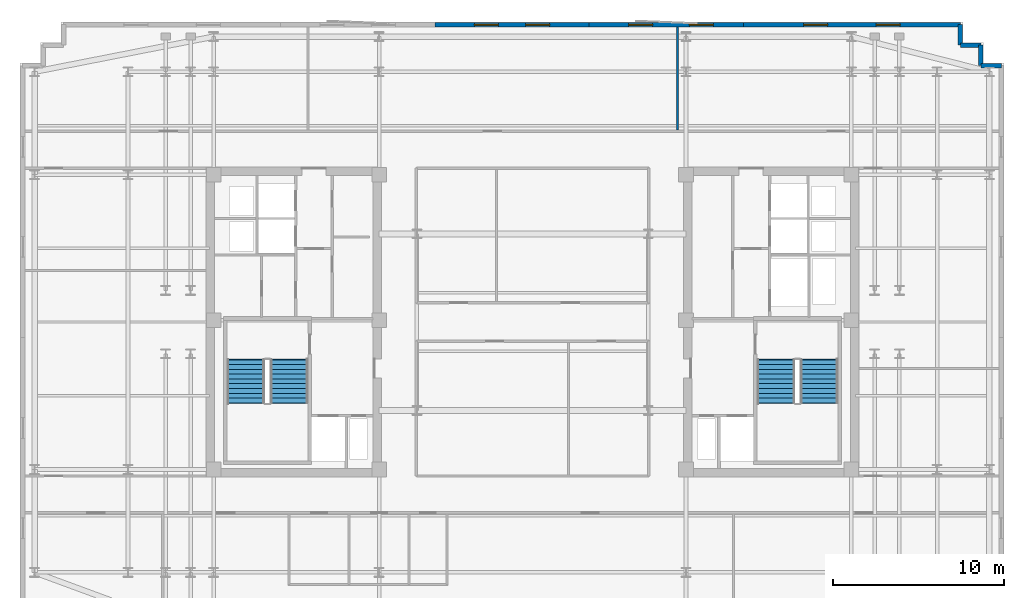
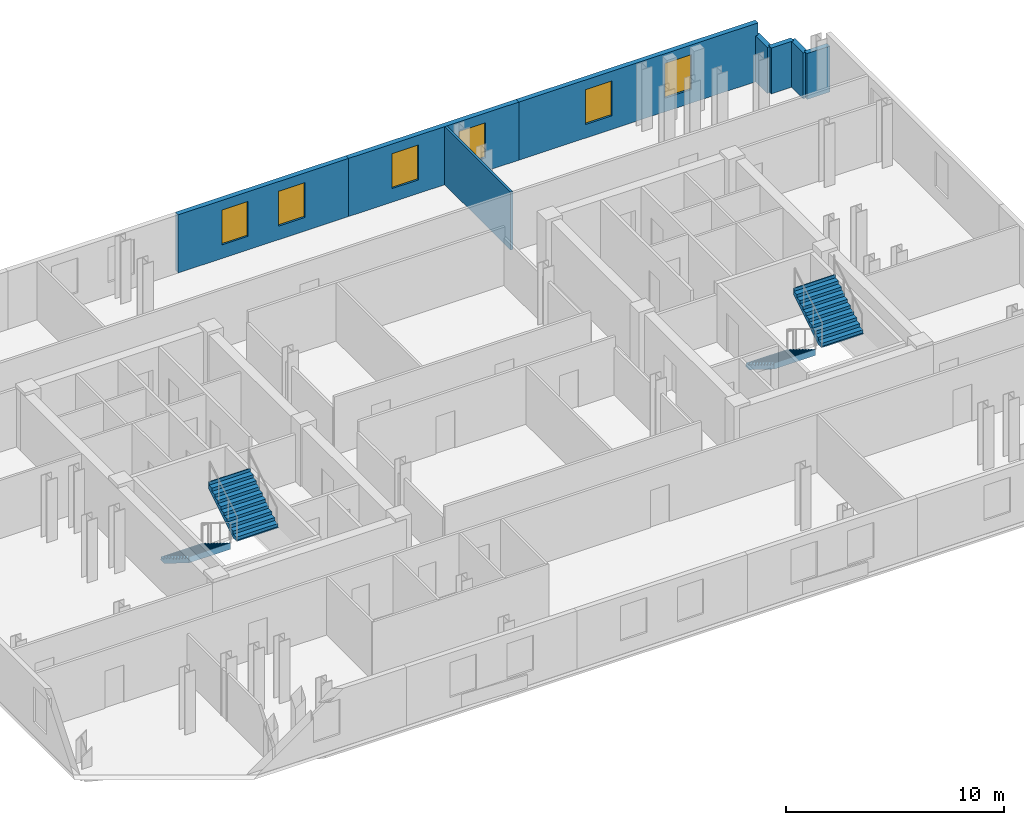
# One storey, part 7 of 9: 8 walls, 6 windows, 4 stair flights, 6 openings, 2 elements without a shape of their own.
"""IFC4 building model written with IfcOpenShell, lengths in metres."""

from ifc_helpers import new_model, si_unit, direction, frame, frame_2d, origin, place, context, subcontext, project, spatial, polyline, rectangle, outline, extrude, material, layer, layer_set, type_object, element, fill, aggregate, save


model = new_model("IFC4")

# Units and contexts
model_context = context("Model", 3, precision=1e-05, world=origin(), true_north=direction((0.0, 1.0)))
body_context = subcontext(model_context, "Body", "Model", "MODEL_VIEW")
ifc_project = project(units=[si_unit("LENGTHUNIT", "METRE"), si_unit("AREAUNIT", "SQUARE_METRE"), si_unit("VOLUMEUNIT", "CUBIC_METRE"), si_unit("PLANEANGLEUNIT", "RADIAN"), si_unit("MASSUNIT", "GRAM", prefix="KILO")], contexts=[model_context])

# Site, building, storey
site_placement = place(None, origin())
site = spatial("IfcSite", under=ifc_project, at=site_placement, CompositionType="ELEMENT")
building_placement = place(site_placement, origin())
building = spatial("IfcBuilding", under=site, at=building_placement, Name="Velakula Bourse", CompositionType="ELEMENT")
storey_placement = place(building_placement, frame((0.0, 0.0, 211.949951171875)))
storey = spatial("IfcBuildingStorey", under=building, at=storey_placement, Name="L57", CompositionType="ELEMENT", Elevation=211.949951171875)

# Wall, openings, windows
ifc_material_1 = material(Name="Buff kilned clay facing brick masonry", Category="masonry")
ifc_layer_1 = layer(ifc_material_1, 0.260009765625, Name="Buff kilned clay facing brick masonry", Category="masonry")
ifc_layer_set_1 = layer_set([ifc_layer_1], Name="Buff kilned clay facing brick masonry")
wall_type_1 = type_object("IfcWallType", Name="WL-EXT-BRK-260", PredefinedType="STANDARD", material=ifc_layer_set_1)
wall_1_placement = place(storey_placement, frame((-5.699951171875, 17.35009765625, 0.0), z_axis=(0.0, 0.0, 1.0), x_axis=(1.0, 0.0, 0.0)))
wall_1 = element("IfcWall", 1, at=wall_1_placement, inside=storey, type_object=wall_type_1, Name="L57 N Brick Spandrel Wall B3", PredefinedType="STANDARD", context=body_context, shape_type="SweptSolid", body=[
    extrude(rectangle(XDim=9.0, YDim=0.260009765625, at=frame_2d((4.5, 0.0))), origin(), (0.0, 0.0, 1.0), 3.25),
])
opening_1_placement = place(wall_1_placement, frame((2.300048828125, 0.0, 0.760009765625)))
opening_1 = element("IfcOpeningElement", 2, at=opening_1_placement, cuts=wall_1, Name="Opening W-03", PredefinedType="OPENING", context=body_context, shape_type="SweptSolid", body=[
    extrude(rectangle(XDim=1.39990234375, YDim=1.949951171875, at=frame_2d((0.699951171875, 0.97509765625))), frame((0.0, 0.139892578125, 0.0), z_axis=(0.0, -1.0, 0.0), x_axis=(1.0, 0.0, 0.0)), (0.0, 0.0, 1.0), 0.280029296875),
])
opening_2_placement = place(wall_1_placement, frame((5.300048828125, 0.0, 0.760009765625)))
opening_2 = element("IfcOpeningElement", 3, at=opening_2_placement, cuts=wall_1, Name="Opening W-03", PredefinedType="OPENING", context=body_context, shape_type="SweptSolid", body=[
    extrude(rectangle(XDim=1.39990234375, YDim=1.949951171875, at=frame_2d((0.699951171875, 0.97509765625))), frame((0.0, 0.139892578125, 0.0), z_axis=(0.0, -1.0, 0.0), x_axis=(1.0, 0.0, 0.0)), (0.0, 0.0, 1.0), 0.280029296875),
])
ifc_material_2 = material(Name="Double-glazed solar-control Low-E glass", Category="glass")
window_type = type_object("IfcWindowType", Name="WIN-TWR-1400x2100", PartitioningType="SINGLE_PANEL", PredefinedType="WINDOW", material=ifc_material_2)
window_1_placement = place(opening_1_placement, origin())
window_1 = element("IfcWindow", 4, at=window_1_placement, inside=storey, type_object=window_type, Name="L57 Deep-Set Recessed Window 1", OverallHeight=1.949951171875, OverallWidth=1.39990234375, PartitioningType="SINGLE_PANEL", PredefinedType="WINDOW", context=body_context, shape_type="SweptSolid", body=[
    extrude(rectangle(XDim=1.39990234375, YDim=1.949951171875, at=frame_2d((0.699951171875, 0.97509765625))), frame((0.0, 0.030029296875, 0.0), z_axis=(0.0, -1.0, 0.0), x_axis=(1.0, 0.0, 0.0)), (0.0, 0.0, 1.0), 0.06005859375),
])
fill(opening_1, window_1)
window_2_placement = place(opening_2_placement, origin())
window_2 = element("IfcWindow", 5, at=window_2_placement, inside=storey, type_object=window_type, Name="L57 Deep-Set Recessed Window 2", OverallHeight=1.949951171875, OverallWidth=1.39990234375, PartitioningType="SINGLE_PANEL", PredefinedType="WINDOW", context=body_context, shape_type="SweptSolid", body=[
    extrude(rectangle(XDim=1.39990234375, YDim=1.949951171875, at=frame_2d((0.699951171875, 0.97509765625))), frame((0.0, 0.030029296875, 0.0), z_axis=(0.0, -1.0, 0.0), x_axis=(1.0, 0.0, 0.0)), (0.0, 0.0, 1.0), 0.06005859375),
])
fill(opening_2, window_2)

wall_2_placement = place(storey_placement, frame((3.300048828125, 17.35009765625, 0.0), z_axis=(0.0, 0.0, 1.0), x_axis=(1.0, 0.0, 0.0)))
wall_2 = element("IfcWall", 6, at=wall_2_placement, inside=storey, type_object=wall_type_1, Name="L57 N Brick Spandrel Wall B4", PredefinedType="STANDARD", context=body_context, shape_type="SweptSolid", body=[
    extrude(rectangle(XDim=9.0, YDim=0.260009765625, at=frame_2d((4.5, 0.0))), origin(), (0.0, 0.0, 1.0), 3.25),
])
opening_3_placement = place(wall_2_placement, frame((2.300048828125, 0.0, 0.760009765625)))
opening_3 = element("IfcOpeningElement", 7, at=opening_3_placement, cuts=wall_2, Name="Opening W-03", PredefinedType="OPENING", context=body_context, shape_type="SweptSolid", body=[
    extrude(rectangle(XDim=1.39990234375, YDim=1.949951171875, at=frame_2d((0.699951171875, 0.97509765625))), frame((0.0, 0.139892578125, 0.0), z_axis=(0.0, -1.0, 0.0), x_axis=(1.0, 0.0, 0.0)), (0.0, 0.0, 1.0), 0.280029296875),
])
opening_4_placement = place(wall_2_placement, frame((5.85009765625, 0.0, 0.760009765625)))
opening_4 = element("IfcOpeningElement", 8, at=opening_4_placement, cuts=wall_2, Name="Opening W-03", PredefinedType="OPENING", context=body_context, shape_type="SweptSolid", body=[
    extrude(rectangle(XDim=1.39990234375, YDim=1.949951171875, at=frame_2d((0.699951171875, 0.97509765625))), frame((0.0, 0.139892578125, 0.0), z_axis=(0.0, -1.0, 0.0), x_axis=(1.0, 0.0, 0.0)), (0.0, 0.0, 1.0), 0.280029296875),
])
window_3_placement = place(opening_3_placement, origin())
window_3 = element("IfcWindow", 9, at=window_3_placement, inside=storey, type_object=window_type, Name="L57 Deep-Set Recessed Window 1", OverallHeight=1.949951171875, OverallWidth=1.39990234375, PartitioningType="SINGLE_PANEL", PredefinedType="WINDOW", context=body_context, shape_type="SweptSolid", body=[
    extrude(rectangle(XDim=1.39990234375, YDim=1.949951171875, at=frame_2d((0.699951171875, 0.97509765625))), frame((0.0, 0.030029296875, 0.0), z_axis=(0.0, -1.0, 0.0), x_axis=(1.0, 0.0, 0.0)), (0.0, 0.0, 1.0), 0.06005859375),
])
fill(opening_3, window_3)
window_4_placement = place(opening_4_placement, origin())
window_4 = element("IfcWindow", 10, at=window_4_placement, inside=storey, type_object=window_type, Name="L57 Deep-Set Recessed Window 2", OverallHeight=1.949951171875, OverallWidth=1.39990234375, PartitioningType="SINGLE_PANEL", PredefinedType="WINDOW", context=body_context, shape_type="SweptSolid", body=[
    extrude(rectangle(XDim=1.39990234375, YDim=1.949951171875, at=frame_2d((0.699951171875, 0.97509765625))), frame((0.0, 0.030029296875, 0.0), z_axis=(0.0, -1.0, 0.0), x_axis=(1.0, 0.0, 0.0)), (0.0, 0.0, 1.0), 0.06005859375),
])
fill(opening_4, window_4)

wall_3_placement = place(storey_placement, frame((12.300048828125, 17.35009765625, 0.0), z_axis=(0.0, 0.0, 1.0), x_axis=(1.0, 0.0, 0.0)))
wall_3 = element("IfcWall", 11, at=wall_3_placement, inside=storey, type_object=wall_type_1, Name="L57 N Brick Spandrel Wall B5", PredefinedType="STANDARD", context=body_context, shape_type="SweptSolid", body=[
    extrude(rectangle(XDim=12.64990234375, YDim=0.260009765625, at=frame_2d((6.324951171875, 0.0))), origin(), (0.0, 0.0, 1.0), 3.25),
])
opening_5_placement = place(wall_3_placement, frame((3.5166015625, 0.0, 0.760009765625)))
opening_5 = element("IfcOpeningElement", 12, at=opening_5_placement, cuts=wall_3, Name="Opening W-03", PredefinedType="OPENING", context=body_context, shape_type="SweptSolid", body=[
    extrude(rectangle(XDim=1.39990234375, YDim=1.949951171875, at=frame_2d((0.699951171875, 0.97509765625))), frame((0.0, 0.139892578125, 0.0), z_axis=(0.0, -1.0, 0.0), x_axis=(1.0, 0.0, 0.0)), (0.0, 0.0, 1.0), 0.280029296875),
])
opening_6_placement = place(wall_3_placement, frame((7.7333984375, 0.0, 0.760009765625)))
opening_6 = element("IfcOpeningElement", 13, at=opening_6_placement, cuts=wall_3, Name="Opening W-03", PredefinedType="OPENING", context=body_context, shape_type="SweptSolid", body=[
    extrude(rectangle(XDim=1.39990234375, YDim=1.949951171875, at=frame_2d((0.699951171875, 0.97509765625))), frame((0.0, 0.139892578125, 0.0), z_axis=(0.0, -1.0, 0.0), x_axis=(1.0, 0.0, 0.0)), (0.0, 0.0, 1.0), 0.280029296875),
])
window_5_placement = place(opening_5_placement, origin())
window_5 = element("IfcWindow", 14, at=window_5_placement, inside=storey, type_object=window_type, Name="L57 Deep-Set Recessed Window 1", OverallHeight=1.949951171875, OverallWidth=1.39990234375, PartitioningType="SINGLE_PANEL", PredefinedType="WINDOW", context=body_context, shape_type="SweptSolid", body=[
    extrude(rectangle(XDim=1.39990234375, YDim=1.949951171875, at=frame_2d((0.699951171875, 0.97509765625))), frame((0.0, 0.030029296875, 0.0), z_axis=(0.0, -1.0, 0.0), x_axis=(1.0, 0.0, 0.0)), (0.0, 0.0, 1.0), 0.06005859375),
])
fill(opening_5, window_5)
window_6_placement = place(opening_6_placement, origin())
window_6 = element("IfcWindow", 15, at=window_6_placement, inside=storey, type_object=window_type, Name="L57 Deep-Set Recessed Window 2", OverallHeight=1.949951171875, OverallWidth=1.39990234375, PartitioningType="SINGLE_PANEL", PredefinedType="WINDOW", context=body_context, shape_type="SweptSolid", body=[
    extrude(rectangle(XDim=1.39990234375, YDim=1.949951171875, at=frame_2d((0.699951171875, 0.97509765625))), frame((0.0, 0.030029296875, 0.0), z_axis=(0.0, -1.0, 0.0), x_axis=(1.0, 0.0, 0.0)), (0.0, 0.0, 1.0), 0.06005859375),
])
fill(opening_6, window_6)

# Walls
wall_4_placement = place(storey_placement, frame((27.35009765625, 14.949951171875, 0.0), z_axis=(0.0, 0.0, 1.0), x_axis=(-1.0, 0.0, 0.0)))
element("IfcWall", 16, at=wall_4_placement, inside=storey, type_object=wall_type_1, Name="L57 Serrated Corner Brick Wall NE-1", PredefinedType="STANDARD", context=body_context, shape_type="SweptSolid", body=[
    extrude(rectangle(XDim=1.2001953125, YDim=0.260009765625, at=frame_2d((0.60009765625, 0.0))), origin(), (0.0, 0.0, 1.0), 2.56494140625),
])
for number, where, z_axis, x_axis, name in (
    (17, (26.14990234375, 14.949951171875, 0.0), (0.0, 0.0, 1.0), (0.0, 1.0, 0.0), "L57 Serrated Corner Brick Wall NE-2"),
    (18, (26.14990234375, 16.14990234375, 0.0), (0.0, 0.0, 1.0), (-1.0, 0.0, 0.0), "L57 Serrated Corner Brick Wall NE-3"),
):
    element("IfcWall", number, at=place(storey_placement, frame(where, z_axis=z_axis, x_axis=x_axis)), inside=storey, type_object=wall_type_1, Name=name, PredefinedType="STANDARD", context=body_context, shape_type="SweptSolid", body=[
        extrude(rectangle(XDim=1.199951171875, YDim=0.260009765625, at=frame_2d((0.60009765625, 0.0))), origin(), (0.0, 0.0, 1.0), 2.56494140625),
    ])
wall_5_placement = place(storey_placement, frame((24.949951171875, 16.14990234375, 0.0), z_axis=(0.0, 0.0, 1.0), x_axis=(0.0, 1.0, 0.0)))
element("IfcWall", 19, at=wall_5_placement, inside=storey, type_object=wall_type_1, Name="L57 Serrated Corner Brick Wall NE-4", PredefinedType="STANDARD", context=body_context, shape_type="SweptSolid", body=[
    extrude(rectangle(XDim=1.2001953125, YDim=0.260009765625, at=frame_2d((0.60009765625, 0.0))), origin(), (0.0, 0.0, 1.0), 2.56494140625),
])
ifc_material_3 = material(Name="Fire-rated double-layer gypsum drywall partition", Category="gypsum")
ifc_layer_2 = layer(ifc_material_3, 0.1201171875, Name="Fire-rated double-layer gypsum drywall partition", Category="gypsum")
ifc_layer_set_2 = layer_set([ifc_layer_2], Name="Fire-rated double-layer gypsum drywall partition")
wall_type_2 = type_object("IfcWallType", Name="WL-PART-120", PredefinedType="STANDARD", material=ifc_layer_set_2)
wall_6_placement = place(storey_placement, frame((8.44189453125, 11.18994140625, 0.0), z_axis=(0.0, 0.0, 1.0), x_axis=(0.0, 1.0, 0.0)))
element("IfcWall", 20, at=wall_6_placement, inside=storey, type_object=wall_type_2, Name="L57 Interior Partition WL-INT-L57-N-D2", PredefinedType="STANDARD", context=body_context, shape_type="SweptSolid", body=[
    extrude(rectangle(XDim=6.030029296875, YDim=0.1201171875, at=frame_2d((3.01513671875, 0.0))), origin(), (0.0, 0.0, 1.0), 3.25),
])

# Stair, stair flights
ifc_material_4 = material(Name="Concrete M45 (fck 45 MPa)", Category="concrete")
stair_type = type_object("IfcStairType", Name="STR-DOG-390", PredefinedType="HALF_TURN_STAIR", material=ifc_material_4)
stair_1_placement = place(storey_placement, origin())
stair_1 = element("IfcStair", 21, at=stair_1_placement, inside=storey, type_object=stair_type, Name="L57 West Core Exit Stair ST-W1", PredefinedType="HALF_TURN_STAIR")
ifc_layer_3 = layer(ifc_material_4, 0.195068359375, Name="Concrete M45 (fck 45 MPa)", Category="concrete")
ifc_layer_set_3 = layer_set([ifc_layer_3], Name="Concrete M45 (fck 45 MPa)")
stair_flight_type = type_object("IfcStairFlightType", Name="FLT-DOG-390", PredefinedType="STRAIGHT", material=ifc_layer_set_3)
stair_flight_1_placement = place(storey_placement, frame((-16.720947265625, -2.199951171875, 0.0), z_axis=(0.0, 0.0, 1.0), x_axis=(0.0, -1.0, 0.0)))
stair_flight_1 = element("IfcStairFlight", 22, at=stair_flight_1_placement, type_object=stair_flight_type, Name="ST-W1 flight 1", NumberOfRisers=10, NumberOfTreads=9, PredefinedType="STRAIGHT", RiserHeight=0.1725, TreadLength=0.28, context=body_context, shape_type="SweptSolid", body=[
    extrude(outline(polyline([(-0.044921875, -0.0400390625), (-0.044921875, -0.036865234375), (-0.044921875, -0.033935546875), (-0.044921875, -0.03076171875), (-0.044921875, -0.027587890625), (-0.044921875, -0.024658203125), (-0.044921875, -0.021484375), (-0.044921875, -0.0185546875), (-0.044921875, -0.015380859375), (-0.044921875, -0.01220703125), (-0.044921875, -0.00927734375), (-0.044921875, -0.006103515625), (-0.044921875, -0.003173828125), (-0.044921875, 0.0), (0.0, 0.0), (0.0, 0.172607421875), (0.280029296875, 0.172607421875), (0.280029296875, 0.344970703125), (0.56005859375, 0.344970703125), (0.56005859375, 0.517578125), (0.840087890625, 0.517578125), (0.840087890625, 0.68994140625), (1.1201171875, 0.68994140625), (1.1201171875, 0.862548828125), (1.39990234375, 0.862548828125), (1.39990234375, 1.034912109375), (1.679931640625, 1.034912109375), (1.679931640625, 1.20751953125), (1.9599609375, 1.20751953125), (1.9599609375, 1.3798828125), (2.239990234375, 1.3798828125), (2.239990234375, 1.552490234375), (2.52001953125, 1.552490234375), (2.52001953125, 1.72509765625), (2.56494140625, 1.72509765625), (2.56494140625, 1.7001953125), (2.56494140625, 1.67529296875), (2.56494140625, 1.650390625), (2.56494140625, 1.62548828125), (2.56494140625, 1.6005859375), (2.56494140625, 1.57568359375), (2.56494140625, 1.55078125), (2.56494140625, 1.52587890625), (2.56494140625, 1.5009765625), (2.56494140625, 1.47607421875), (2.56494140625, 1.451171875), (2.56494140625, 1.42626953125), (2.56494140625, 1.4013671875), (2.56494140625, 1.37646484375), (0.285888671875, -0.0400390625), (-0.044921875, -0.0400390625)])), frame((0.0, 1.09912109375, 0.0), z_axis=(0.0, -1.0, 0.0), x_axis=(1.0, 0.0, 0.0)), (0.0, 0.0, 1.0), 2.197998046875),
])
stair_flight_2_placement = place(storey_placement, frame((-14.198974609375, -4.719970703125, 1.72509765625), z_axis=(0.0, 0.0, 1.0), x_axis=(0.0, 1.0, 0.0)))
stair_flight_2 = element("IfcStairFlight", 23, at=stair_flight_2_placement, type_object=stair_flight_type, Name="ST-W1 flight 2", NumberOfRisers=10, NumberOfTreads=9, PredefinedType="STRAIGHT", RiserHeight=0.1725, TreadLength=0.28, context=body_context, shape_type="SweptSolid", body=[
    extrude(outline(polyline([(-0.044921875, -0.0400390625), (-0.044921875, -0.036865234375), (-0.044921875, -0.033935546875), (-0.044921875, -0.03076171875), (-0.044921875, -0.027587890625), (-0.044921875, -0.024658203125), (-0.044921875, -0.021484375), (-0.044921875, -0.0185546875), (-0.044921875, -0.015380859375), (-0.044921875, -0.01220703125), (-0.044921875, -0.00927734375), (-0.044921875, -0.006103515625), (-0.044921875, -0.003173828125), (-0.044921875, 0.0), (0.0, 0.0), (0.0, 0.172607421875), (0.280029296875, 0.172607421875), (0.280029296875, 0.344970703125), (0.56005859375, 0.344970703125), (0.56005859375, 0.517578125), (0.840087890625, 0.517578125), (0.840087890625, 0.68994140625), (1.1201171875, 0.68994140625), (1.1201171875, 0.862548828125), (1.39990234375, 0.862548828125), (1.39990234375, 1.034912109375), (1.679931640625, 1.034912109375), (1.679931640625, 1.20751953125), (1.9599609375, 1.20751953125), (1.9599609375, 1.3798828125), (2.239990234375, 1.3798828125), (2.239990234375, 1.552490234375), (2.52001953125, 1.552490234375), (2.52001953125, 1.72509765625), (2.56494140625, 1.72509765625), (2.56494140625, 1.7001953125), (2.56494140625, 1.67529296875), (2.56494140625, 1.650390625), (2.56494140625, 1.62548828125), (2.56494140625, 1.6005859375), (2.56494140625, 1.57568359375), (2.56494140625, 1.55078125), (2.56494140625, 1.52587890625), (2.56494140625, 1.5009765625), (2.56494140625, 1.47607421875), (2.56494140625, 1.451171875), (2.56494140625, 1.42626953125), (2.56494140625, 1.4013671875), (2.56494140625, 1.37646484375), (0.285888671875, -0.0400390625), (-0.044921875, -0.0400390625)])), frame((0.0, 1.09912109375, 0.0), z_axis=(0.0, -1.0, 0.0), x_axis=(1.0, 0.0, 0.0)), (0.0, 0.0, 1.0), 2.197998046875),
])
aggregate(stair_1, [stair_flight_1, stair_flight_2])

stair_2_placement = place(storey_placement, origin())
stair_2 = element("IfcStair", 24, at=stair_2_placement, inside=storey, type_object=stair_type, Name="L57 East Core Exit Stair ST-E1", PredefinedType="HALF_TURN_STAIR")
stair_flight_3_placement = place(storey_placement, frame((14.198974609375, -2.199951171875, 0.0), z_axis=(0.0, 0.0, 1.0), x_axis=(0.0, -1.0, 0.0)))
stair_flight_3 = element("IfcStairFlight", 25, at=stair_flight_3_placement, type_object=stair_flight_type, Name="ST-E1 flight 1", NumberOfRisers=10, NumberOfTreads=9, PredefinedType="STRAIGHT", RiserHeight=0.1725, TreadLength=0.28, context=body_context, shape_type="SweptSolid", body=[
    extrude(outline(polyline([(-0.044921875, -0.0400390625), (-0.044921875, -0.036865234375), (-0.044921875, -0.033935546875), (-0.044921875, -0.03076171875), (-0.044921875, -0.027587890625), (-0.044921875, -0.024658203125), (-0.044921875, -0.021484375), (-0.044921875, -0.0185546875), (-0.044921875, -0.015380859375), (-0.044921875, -0.01220703125), (-0.044921875, -0.00927734375), (-0.044921875, -0.006103515625), (-0.044921875, -0.003173828125), (-0.044921875, 0.0), (0.0, 0.0), (0.0, 0.172607421875), (0.280029296875, 0.172607421875), (0.280029296875, 0.344970703125), (0.56005859375, 0.344970703125), (0.56005859375, 0.517578125), (0.840087890625, 0.517578125), (0.840087890625, 0.68994140625), (1.1201171875, 0.68994140625), (1.1201171875, 0.862548828125), (1.39990234375, 0.862548828125), (1.39990234375, 1.034912109375), (1.679931640625, 1.034912109375), (1.679931640625, 1.20751953125), (1.9599609375, 1.20751953125), (1.9599609375, 1.3798828125), (2.239990234375, 1.3798828125), (2.239990234375, 1.552490234375), (2.52001953125, 1.552490234375), (2.52001953125, 1.72509765625), (2.56494140625, 1.72509765625), (2.56494140625, 1.7001953125), (2.56494140625, 1.67529296875), (2.56494140625, 1.650390625), (2.56494140625, 1.62548828125), (2.56494140625, 1.6005859375), (2.56494140625, 1.57568359375), (2.56494140625, 1.55078125), (2.56494140625, 1.52587890625), (2.56494140625, 1.5009765625), (2.56494140625, 1.47607421875), (2.56494140625, 1.451171875), (2.56494140625, 1.42626953125), (2.56494140625, 1.4013671875), (2.56494140625, 1.37646484375), (0.285888671875, -0.0400390625), (-0.044921875, -0.0400390625)])), frame((0.0, 1.09912109375, 0.0), z_axis=(0.0, -1.0, 0.0), x_axis=(1.0, 0.0, 0.0)), (0.0, 0.0, 1.0), 2.197998046875),
])
stair_flight_4_placement = place(storey_placement, frame((16.720947265625, -4.719970703125, 1.72509765625), z_axis=(0.0, 0.0, 1.0), x_axis=(0.0, 1.0, 0.0)))
stair_flight_4 = element("IfcStairFlight", 26, at=stair_flight_4_placement, type_object=stair_flight_type, Name="ST-E1 flight 2", NumberOfRisers=10, NumberOfTreads=9, PredefinedType="STRAIGHT", RiserHeight=0.1725, TreadLength=0.28, context=body_context, shape_type="SweptSolid", body=[
    extrude(outline(polyline([(-0.044921875, -0.0400390625), (-0.044921875, -0.036865234375), (-0.044921875, -0.033935546875), (-0.044921875, -0.03076171875), (-0.044921875, -0.027587890625), (-0.044921875, -0.024658203125), (-0.044921875, -0.021484375), (-0.044921875, -0.0185546875), (-0.044921875, -0.015380859375), (-0.044921875, -0.01220703125), (-0.044921875, -0.00927734375), (-0.044921875, -0.006103515625), (-0.044921875, -0.003173828125), (-0.044921875, 0.0), (0.0, 0.0), (0.0, 0.172607421875), (0.280029296875, 0.172607421875), (0.280029296875, 0.344970703125), (0.56005859375, 0.344970703125), (0.56005859375, 0.517578125), (0.840087890625, 0.517578125), (0.840087890625, 0.68994140625), (1.1201171875, 0.68994140625), (1.1201171875, 0.862548828125), (1.39990234375, 0.862548828125), (1.39990234375, 1.034912109375), (1.679931640625, 1.034912109375), (1.679931640625, 1.20751953125), (1.9599609375, 1.20751953125), (1.9599609375, 1.3798828125), (2.239990234375, 1.3798828125), (2.239990234375, 1.552490234375), (2.52001953125, 1.552490234375), (2.52001953125, 1.72509765625), (2.56494140625, 1.72509765625), (2.56494140625, 1.7001953125), (2.56494140625, 1.67529296875), (2.56494140625, 1.650390625), (2.56494140625, 1.62548828125), (2.56494140625, 1.6005859375), (2.56494140625, 1.57568359375), (2.56494140625, 1.55078125), (2.56494140625, 1.52587890625), (2.56494140625, 1.5009765625), (2.56494140625, 1.47607421875), (2.56494140625, 1.451171875), (2.56494140625, 1.42626953125), (2.56494140625, 1.4013671875), (2.56494140625, 1.37646484375), (0.285888671875, -0.0400390625), (-0.044921875, -0.0400390625)])), frame((0.0, 1.09912109375, 0.0), z_axis=(0.0, -1.0, 0.0), x_axis=(1.0, 0.0, 0.0)), (0.0, 0.0, 1.0), 2.197998046875),
])
aggregate(stair_2, [stair_flight_3, stair_flight_4])

save(model, "model.ifc")
